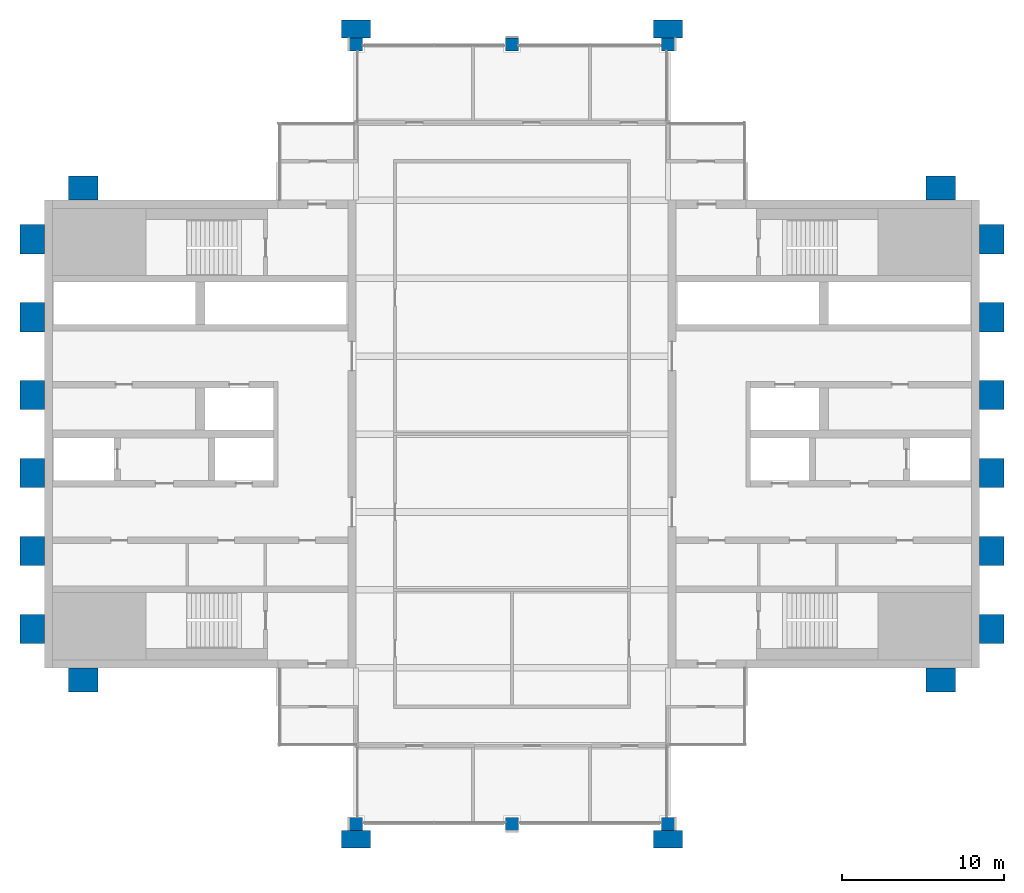
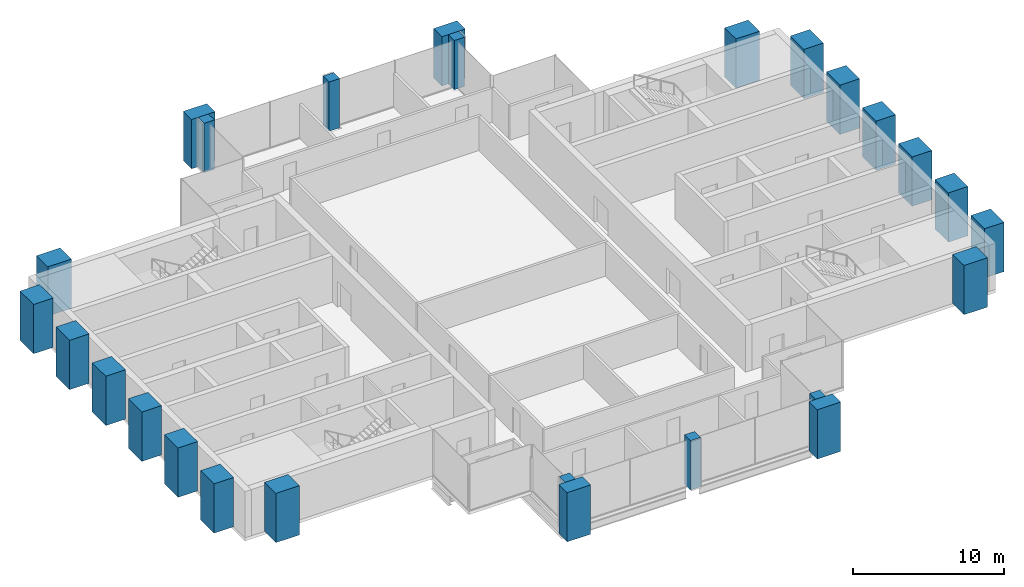
# One storey, part 1 of 11: 26 columns.
"""IFC4 building model written with IfcOpenShell, lengths in metres."""

from ifc_helpers import new_model, si_unit, direction, frame, origin, origin_2d, place, context, subcontext, project, spatial, rectangle, extrude, material, material_profile, profile_set, type_object, element, save


model = new_model("IFC4")

# Units and contexts
model_context = context("Model", 3, precision=1e-05, world=origin(), true_north=direction((0.0, 1.0)))
body_context = subcontext(model_context, "Body", "Model", "MODEL_VIEW")
ifc_project = project(units=[si_unit("LENGTHUNIT", "METRE"), si_unit("AREAUNIT", "SQUARE_METRE"), si_unit("VOLUMEUNIT", "CUBIC_METRE"), si_unit("PLANEANGLEUNIT", "RADIAN"), si_unit("MASSUNIT", "GRAM", prefix="KILO")], contexts=[model_context])

# Site, building, storey
site_placement = place(None, origin())
site = spatial("IfcSite", under=ifc_project, at=site_placement, CompositionType="ELEMENT")
building_placement = place(site_placement, origin())
building = spatial("IfcBuilding", under=site, at=building_placement, Name="Baori Bourse Tower", CompositionType="ELEMENT")
storey_placement = place(building_placement, frame((0.0, 0.0, 354.300048828125)))
storey = spatial("IfcBuildingStorey", under=building, at=storey_placement, Name="L79", CompositionType="ELEMENT", Elevation=354.300048828125)

# Columns
ifc_material_1 = material(Name="Concrete f'c 60 MPa", Category="concrete")
ifc_material_profile_1 = material_profile(ifc_material_1, rectangle(XDim=1.800048828125, YDim=1.10009765625, at=origin_2d()), Name="RC 1800x1100")
ifc_profile_set_1 = profile_set([ifc_material_profile_1], Name="Concrete f'c 60 MPa")
column_type_1 = type_object("IfcColumnType", Name="FN3 Brick pilaster 1800x1100", PredefinedType="PILASTER", material=ifc_profile_set_1)
for number, where, z_axis, x_axis, name in (
    (1, (19.199951171875, -0.949951171875, 0.0), (0.0, 0.0, 1.0), (1.0, 0.0, 0.0), "Brick pilaster L79 17"),
    (2, (38.39990234375, -0.949951171875, 0.0), (0.0, 0.0, 1.0), (1.0, 0.0, 0.0), "Brick pilaster L79 18"),
    (3, (19.199951171875, 48.949951171875, 0.0), (0.0, 0.0, 1.0), (1.0, 0.0, 0.0), "Brick pilaster L79 19"),
    (4, (38.39990234375, 48.949951171875, 0.0), (0.0, 0.0, 1.0), (1.0, 0.0, 0.0), "Brick pilaster L79 20"),
):
    element("IfcColumn", number, at=place(storey_placement, frame(where, z_axis=z_axis, x_axis=x_axis)), inside=storey, type_object=column_type_1, Name=name, PredefinedType="PILASTER", context=body_context, shape_type="SweptSolid", body=[
        extrude(rectangle(XDim=1.800048828125, YDim=1.10009765625, at=origin_2d()), origin(), (0.0, 0.0, 1.0), 4.0),
    ])
ifc_material_2 = material(Name="Concrete f'c 60 MPa", Category="concrete")
ifc_material_profile_2 = material_profile(ifc_material_2, rectangle(XDim=1.800048828125, YDim=1.5, at=origin_2d()), Name="RC 1800x1500")
ifc_profile_set_2 = profile_set([ifc_material_profile_2], Name="Concrete f'c 60 MPa")
column_type_2 = type_object("IfcColumnType", Name="FN4 Brick flank pilaster 1800x1500", PredefinedType="PILASTER", material=ifc_profile_set_2)
for number, where, z_axis, x_axis, name in (
    (5, (55.199951171875, 8.85009765625, 0.0), (0.0, 0.0, 1.0), (1.0, 0.0, 0.0), "Brick pilaster L79 1"),
    (6, (58.35009765625, 12.0, 0.0), (0.0, 0.0, 1.0), (0.0, 1.0, 0.0), "Brick pilaster L79 2"),
    (7, (58.35009765625, 16.800048828125, 0.0), (0.0, 0.0, 1.0), (0.0, 1.0, 0.0), "Brick pilaster L79 3"),
    (8, (58.35009765625, 21.60009765625, 0.0), (0.0, 0.0, 1.0), (0.0, 1.0, 0.0), "Brick pilaster L79 4"),
    (9, (58.35009765625, 26.39990234375, 0.0), (0.0, 0.0, 1.0), (0.0, 1.0, 0.0), "Brick pilaster L79 5"),
    (10, (58.35009765625, 31.199951171875, 0.0), (0.0, 0.0, 1.0), (0.0, 1.0, 0.0), "Brick pilaster L79 6"),
    (11, (58.35009765625, 36.0, 0.0), (0.0, 0.0, 1.0), (0.0, 1.0, 0.0), "Brick pilaster L79 7"),
    (12, (55.199951171875, 39.14990234375, 0.0), (0.0, 0.0, 1.0), (1.0, 0.0, 0.0), "Brick pilaster L79 8"),
    (13, (2.39990234375, 39.14990234375, 0.0), (0.0, 0.0, 1.0), (1.0, 0.0, 0.0), "Brick pilaster L79 9"),
    (14, (-0.75, 12.0, 0.0), (0.0, 0.0, 1.0), (0.0, 1.0, 0.0), "Brick pilaster L79 10"),
    (15, (-0.75, 16.800048828125, 0.0), (0.0, 0.0, 1.0), (0.0, 1.0, 0.0), "Brick pilaster L79 11"),
    (16, (-0.75, 21.60009765625, 0.0), (0.0, 0.0, 1.0), (0.0, 1.0, 0.0), "Brick pilaster L79 12"),
    (17, (-0.75, 26.39990234375, 0.0), (0.0, 0.0, 1.0), (0.0, 1.0, 0.0), "Brick pilaster L79 13"),
    (18, (-0.75, 31.199951171875, 0.0), (0.0, 0.0, 1.0), (0.0, 1.0, 0.0), "Brick pilaster L79 14"),
    (19, (-0.75, 36.0, 0.0), (0.0, 0.0, 1.0), (0.0, 1.0, 0.0), "Brick pilaster L79 15"),
    (20, (2.39990234375, 8.85009765625, 0.0), (0.0, 0.0, 1.0), (1.0, 0.0, 0.0), "Brick pilaster L79 16"),
):
    element("IfcColumn", number, at=place(storey_placement, frame(where, z_axis=z_axis, x_axis=x_axis)), inside=storey, type_object=column_type_2, Name=name, PredefinedType="PILASTER", context=body_context, shape_type="SweptSolid", body=[
        extrude(rectangle(XDim=1.800048828125, YDim=1.5, at=origin_2d()), origin(), (0.0, 0.0, 1.0), 4.0),
    ])
ifc_material_3 = material(Name="Concrete f'c 40 MPa", Category="concrete")
ifc_material_profile_3 = material_profile(ifc_material_3, rectangle(XDim=0.800048828125, YDim=0.800048828125, at=origin_2d()), Name="RC 800x800")
ifc_profile_set_3 = profile_set([ifc_material_profile_3], Name="Concrete f'c 40 MPa")
column_type_3 = type_object("IfcColumnType", Name="Perimeter column 40 RC 800x800", PredefinedType="COLUMN", material=ifc_profile_set_3)
for number, where, z_axis, x_axis, name in (
    (21, (19.199951171875, 0.0, 0.0), (0.0, 0.0, 1.0), (1.0, 0.0, 0.0), "Perimeter column L79"),
    (22, (28.800048828125, 0.0, 0.0), (0.0, 0.0, 1.0), (1.0, 0.0, 0.0), "Perimeter column L79"),
    (23, (38.39990234375, 0.0, 0.0), (0.0, 0.0, 1.0), (1.0, 0.0, 0.0), "Perimeter column L79"),
    (24, (19.199951171875, 48.0, 0.0), (0.0, 0.0, 1.0), (1.0, 0.0, 0.0), "Perimeter column L79"),
    (25, (28.800048828125, 48.0, 0.0), (0.0, 0.0, 1.0), (1.0, 0.0, 0.0), "Perimeter column L79"),
    (26, (38.39990234375, 48.0, 0.0), (0.0, 0.0, 1.0), (1.0, 0.0, 0.0), "Perimeter column L79"),
):
    element("IfcColumn", number, at=place(storey_placement, frame(where, z_axis=z_axis, x_axis=x_axis)), inside=storey, type_object=column_type_3, Name=name, PredefinedType="COLUMN", context=body_context, shape_type="SweptSolid", body=[
        extrude(rectangle(XDim=0.800048828125, YDim=0.800048828125, at=origin_2d()), origin(), (0.0, 0.0, 1.0), 4.0),
    ])

save(model, "model.ifc")
